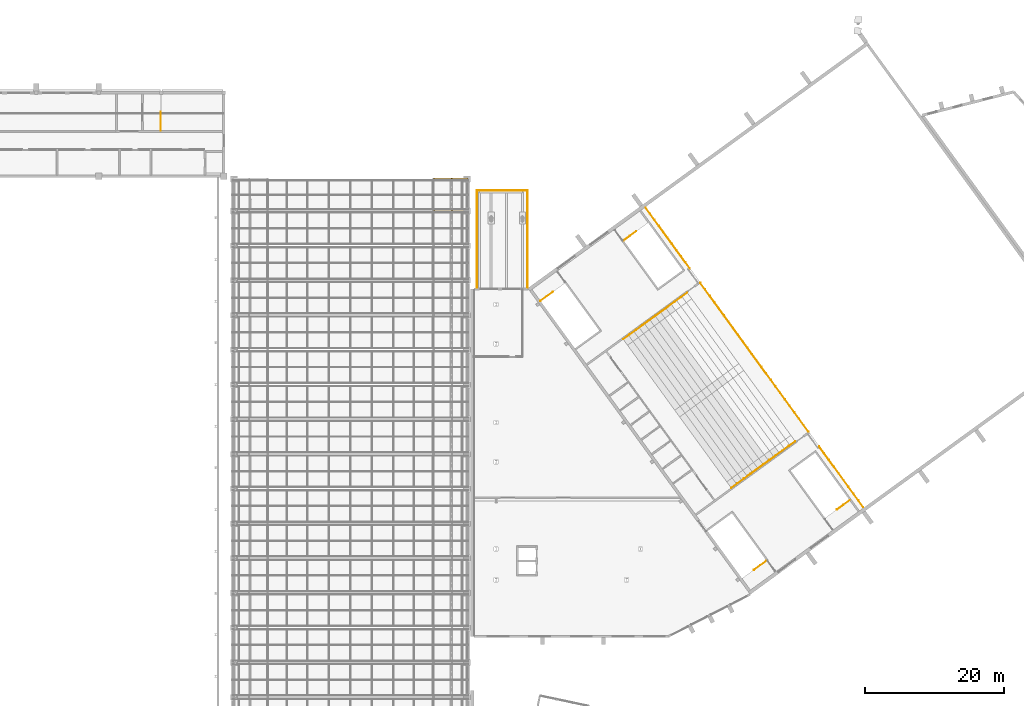
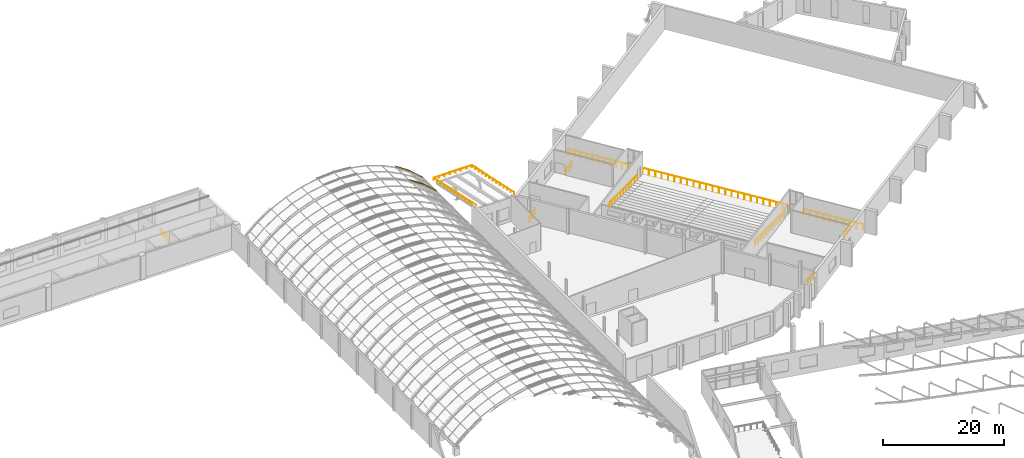
# One storey, part 182 of 182: 11 railings, 4 coverings.
"""IFC4 building model written with IfcOpenShell, lengths in metres."""

from ifc_helpers import new_model, si_unit, direction, frame, origin, origin_2d, place, context, subcontext, project, spatial, polyline, circle, outline, extrude, material, layer, layer_set, type_object, element, save


model = new_model("IFC4")

# Units and contexts
model_context = context("Model", 3, precision=1e-05, world=origin(), true_north=direction((0.0, 1.0)))
body_context = subcontext(model_context, "Body", "Model", "MODEL_VIEW")
ifc_project = project(units=[si_unit("LENGTHUNIT", "METRE"), si_unit("AREAUNIT", "SQUARE_METRE"), si_unit("VOLUMEUNIT", "CUBIC_METRE"), si_unit("PLANEANGLEUNIT", "RADIAN"), si_unit("MASSUNIT", "GRAM", prefix="KILO")], contexts=[model_context])

# Site, building, storey
site_placement = place(None, origin())
site = spatial("IfcSite", under=ifc_project, at=site_placement, CompositionType="ELEMENT")
building_placement = place(site_placement, origin())
building = spatial("IfcBuilding", under=site, at=building_placement, Name="Okhra Congress Centre", CompositionType="ELEMENT")
storey_placement = place(building_placement, frame((0.0, 0.0, 7.199951171875)))
storey = spatial("IfcBuildingStorey", under=building, at=storey_placement, Name="L01", CompositionType="ELEMENT", Elevation=7.199951171875)

# Coverings
ifc_material_1 = material(Name="Extruded aluminium capping, thermally broken", Category="aluminium")
ifc_layer = layer(ifc_material_1, 0.139892578125)
ifc_layer_set = layer_set([ifc_layer], Name="Aluminium rib capping 380")
covering_type = type_object("IfcCoveringType", Name="Aluminium rib capping 380", PredefinedType="CLADDING", material=ifc_layer_set)
covering_1_placement = place(storey_placement, frame((184.303466796875, 210.81005859375, 5.876220703125), z_axis=(0.559487786357, 0.0, 0.828838595215), x_axis=(0.828838595215, 0.0, -0.559487786357)))
element("IfcCovering", 1, at=covering_1_placement, inside=storey, type_object=covering_type, Name="Rib capping 28.11", PredefinedType="CLADDING", context=body_context, shape_type="SweptSolid", body=[
    extrude(outline(polyline([(0.0, 0.0), (3.08902450870042, 0.0), (3.08902450870042, 0.3798828125), (0.0, 0.3798828125), (0.0, 0.0)])), origin(), (0.0, 0.0, -1.0), 0.139892578125),
])
covering_2_placement = place(storey_placement, frame((186.9111328125, 210.81005859375, 4.111328125), z_axis=(0.663725875965, 0.0, 0.747975909756), x_axis=(0.747975909756, 0.0, -0.663725875965)))
element("IfcCovering", 2, at=covering_2_placement, inside=storey, type_object=covering_type, Name="Rib capping 28.12", PredefinedType="CLADDING", context=body_context, shape_type="SweptSolid", body=[
    extrude(outline(polyline([(0.0, 0.0), (3.0890658975292116, 0.0), (3.0890658975292116, 0.3798828125), (0.0, 0.3798828125), (0.0, 0.0)])), origin(), (0.0, 0.0, -1.0), 0.139892578125),
])
covering_3_placement = place(storey_placement, frame((184.282470703125, 215.449951171875, 5.8408203125), z_axis=(0.559495970177, 0.0, 0.828833070863), x_axis=(0.828833070863, 0.0, -0.559495970177)))
element("IfcCovering", 3, at=covering_3_placement, inside=storey, type_object=covering_type, Name="Rib capping 29.11", PredefinedType="CLADDING", context=body_context, shape_type="SweptSolid", body=[
    extrude(outline(polyline([(0.0, 0.0), (3.0837430273687723, 0.0), (3.0837430273687723, 0.300048828125), (0.0, 0.300048828125), (0.0, 0.0)])), origin(), (0.0, 0.0, -1.0), 0.139892578125),
])
covering_4_placement = place(storey_placement, frame((186.8857421875, 215.449951171875, 4.07861328125), z_axis=(0.663646042111, 0.0, 0.74804674372), x_axis=(0.74804674372, 0.0, -0.663646042111)))
element("IfcCovering", 4, at=covering_4_placement, inside=storey, type_object=covering_type, Name="Rib capping 29.12", PredefinedType="CLADDING", context=body_context, shape_type="SweptSolid", body=[
    extrude(outline(polyline([(0.0, 0.0), (3.083551454990946, 0.0), (3.083551454990946, 0.300048828125), (0.0, 0.300048828125), (0.0, 0.0)])), origin(), (0.0, 0.0, -1.0), 0.139892578125),
])

# Railings
ifc_material_2 = material(Name="Painted steel tube guard with vertical steel balusters", Category="steel")
railing_type_1 = type_object("IfcRailingType", Name="Steel guard 1200", PredefinedType="GUARDRAIL", material=ifc_material_2)
railing_1_placement = place(storey_placement, frame((246.068359375, 168.353515625, 0.0)))
element("IfcRailing", 5, at=railing_1_placement, inside=storey, type_object=railing_type_1, Name="Balcony front edge guard", PredefinedType="GUARDRAIL", context=body_context, shape_type="SweptSolid", body=[
    extrude(circle(Radius=0.02392578125, at=origin_2d()), frame((0.0, 0.0, 1.17578125), z_axis=(-0.587792591002, 0.80901166244, 0.0), x_axis=(-0.80901166244, -0.587792591002, 0.0)), (0.0, 0.0, 1.0), 10.800048828125),
    extrude(circle(Radius=0.02099609375, at=origin_2d()), origin(), (0.0, 0.0, 1.0), 1.15185546875),
    extrude(circle(Radius=0.02099609375, at=origin_2d()), frame((-0.705322265625, 0.970703125, 0.0)), (0.0, 0.0, 1.0), 1.15185546875),
    extrude(circle(Radius=0.02099609375, at=origin_2d()), frame((-1.41064453125, 1.941650390625, 0.0)), (0.0, 0.0, 1.0), 1.15185546875),
    extrude(circle(Radius=0.02099609375, at=origin_2d()), frame((-2.115966796875, 2.912353515625, 0.0)), (0.0, 0.0, 1.0), 1.15185546875),
    extrude(circle(Radius=0.02099609375, at=origin_2d()), frame((-2.8212890625, 3.88330078125, 0.0)), (0.0, 0.0, 1.0), 1.15185546875),
    extrude(circle(Radius=0.02099609375, at=origin_2d()), frame((-3.52685546875, 4.85400390625, 0.0)), (0.0, 0.0, 1.0), 1.15185546875),
    extrude(circle(Radius=0.02099609375, at=origin_2d()), frame((-4.232177734375, 5.824951171875, 0.0)), (0.0, 0.0, 1.0), 1.15185546875),
    extrude(circle(Radius=0.02099609375, at=origin_2d()), frame((-4.9375, 6.795654296875, 0.0)), (0.0, 0.0, 1.0), 1.15185546875),
    extrude(circle(Radius=0.02099609375, at=origin_2d()), frame((-5.642822265625, 7.7666015625, 0.0)), (0.0, 0.0, 1.0), 1.15185546875),
    extrude(circle(Radius=0.02099609375, at=origin_2d()), frame((-6.34814453125, 8.7373046875, 0.0)), (0.0, 0.0, 1.0), 1.15185546875),
])
railing_2_placement = place(storey_placement, frame((214.7392578125, 211.47412109375, 0.0)))
element("IfcRailing", 6, at=railing_2_placement, inside=storey, type_object=railing_type_1, Name="Balcony front edge guard", PredefinedType="GUARDRAIL", context=body_context, shape_type="SweptSolid", body=[
    extrude(circle(Radius=0.02392578125, at=origin_2d()), frame((0.0, 0.0, 1.17578125), z_axis=(0.587781841449, -0.809019472487, 0.0), x_axis=(0.809019472487, 0.587781841449, 0.0)), (0.0, 0.0, 1.0), 10.80029296875),
    extrude(circle(Radius=0.02099609375, at=origin_2d()), origin(), (0.0, 0.0, 1.0), 1.15185546875),
    extrude(circle(Radius=0.02099609375, at=origin_2d()), frame((0.634765625, -0.873779296875, 0.0)), (0.0, 0.0, 1.0), 1.15185546875),
    extrude(circle(Radius=0.02099609375, at=origin_2d()), frame((1.26953125, -1.74755859375, 0.0)), (0.0, 0.0, 1.0), 1.15185546875),
    extrude(circle(Radius=0.02099609375, at=origin_2d()), frame((1.904541015625, -2.621337890625, 0.0)), (0.0, 0.0, 1.0), 1.15185546875),
    extrude(circle(Radius=0.02099609375, at=origin_2d()), frame((2.539306640625, -3.4951171875, 0.0)), (0.0, 0.0, 1.0), 1.15185546875),
    extrude(circle(Radius=0.02099609375, at=origin_2d()), frame((3.174072265625, -4.36865234375, 0.0)), (0.0, 0.0, 1.0), 1.15185546875),
    extrude(circle(Radius=0.02099609375, at=origin_2d()), frame((3.808837890625, -5.242431640625, 0.0)), (0.0, 0.0, 1.0), 1.15185546875),
    extrude(circle(Radius=0.02099609375, at=origin_2d()), frame((4.443603515625, -6.1162109375, 0.0)), (0.0, 0.0, 1.0), 1.15185546875),
    extrude(circle(Radius=0.02099609375, at=origin_2d()), frame((5.07861328125, -6.989990234375, 0.0)), (0.0, 0.0, 1.0), 1.15185546875),
    extrude(circle(Radius=0.02099609375, at=origin_2d()), frame((5.71337890625, -7.86376953125, 0.0)), (0.0, 0.0, 1.0), 1.15185546875),
    extrude(circle(Radius=0.02099609375, at=origin_2d()), frame((6.34814453125, -8.737548828125, 0.0)), (0.0, 0.0, 1.0), 1.15185546875),
])
railing_3_placement = place(storey_placement, frame((238.17724609375, 179.214599609375, 0.0)))
element("IfcRailing", 7, at=railing_3_placement, inside=storey, type_object=railing_type_1, Name="Balcony front guard", PredefinedType="GUARDRAIL", context=body_context, shape_type="SweptSolid", body=[
    extrude(circle(Radius=0.02392578125, at=origin_2d()), frame((0.0, 0.0, 1.17578125), z_axis=(-0.587785255346, 0.809016992157, 0.0), x_axis=(-0.809016992157, -0.587785255346, 0.0)), (0.0, 0.0, 1.0), 26.449951171875),
    extrude(circle(Radius=0.02099609375, at=origin_2d()), origin(), (0.0, 0.0, 1.0), 1.15185546875),
    extrude(circle(Radius=0.02099609375, at=origin_2d()), frame((-0.676025390625, 0.930419921875, 0.0)), (0.0, 0.0, 1.0), 1.15185546875),
    extrude(circle(Radius=0.02099609375, at=origin_2d()), frame((-1.351806640625, 1.86083984375, 0.0)), (0.0, 0.0, 1.0), 1.15185546875),
    extrude(circle(Radius=0.02099609375, at=origin_2d()), frame((-2.02783203125, 2.791015625, 0.0)), (0.0, 0.0, 1.0), 1.15185546875),
    extrude(circle(Radius=0.02099609375, at=origin_2d()), frame((-2.703857421875, 3.721435546875, 0.0)), (0.0, 0.0, 1.0), 1.15185546875),
    extrude(circle(Radius=0.02099609375, at=origin_2d()), frame((-3.379638671875, 4.65185546875, 0.0)), (0.0, 0.0, 1.0), 1.15185546875),
    extrude(circle(Radius=0.02099609375, at=origin_2d()), frame((-4.0556640625, 5.582275390625, 0.0)), (0.0, 0.0, 1.0), 1.15185546875),
    extrude(circle(Radius=0.02099609375, at=origin_2d()), frame((-4.731689453125, 6.512451171875, 0.0)), (0.0, 0.0, 1.0), 1.15185546875),
    extrude(circle(Radius=0.02099609375, at=origin_2d()), frame((-5.40771484375, 7.44287109375, 0.0)), (0.0, 0.0, 1.0), 1.15185546875),
    extrude(circle(Radius=0.02099609375, at=origin_2d()), frame((-6.08349609375, 8.373291015625, 0.0)), (0.0, 0.0, 1.0), 1.15185546875),
    extrude(circle(Radius=0.02099609375, at=origin_2d()), frame((-6.759521484375, 9.3037109375, 0.0)), (0.0, 0.0, 1.0), 1.15185546875),
    extrude(circle(Radius=0.02099609375, at=origin_2d()), frame((-7.435546875, 10.234130859375, 0.0)), (0.0, 0.0, 1.0), 1.15185546875),
    extrude(circle(Radius=0.02099609375, at=origin_2d()), frame((-8.111328125, 11.164306640625, 0.0)), (0.0, 0.0, 1.0), 1.15185546875),
    extrude(circle(Radius=0.02099609375, at=origin_2d()), frame((-8.787353515625, 12.0947265625, 0.0)), (0.0, 0.0, 1.0), 1.15185546875),
    extrude(circle(Radius=0.02099609375, at=origin_2d()), frame((-9.46337890625, 13.025146484375, 0.0)), (0.0, 0.0, 1.0), 1.15185546875),
    extrude(circle(Radius=0.02099609375, at=origin_2d()), frame((-10.13916015625, 13.95556640625, 0.0)), (0.0, 0.0, 1.0), 1.15185546875),
    extrude(circle(Radius=0.02099609375, at=origin_2d()), frame((-10.815185546875, 14.885986328125, 0.0)), (0.0, 0.0, 1.0), 1.15185546875),
    extrude(circle(Radius=0.02099609375, at=origin_2d()), frame((-11.4912109375, 15.816162109375, 0.0)), (0.0, 0.0, 1.0), 1.15185546875),
    extrude(circle(Radius=0.02099609375, at=origin_2d()), frame((-12.167236328125, 16.74658203125, 0.0)), (0.0, 0.0, 1.0), 1.15185546875),
    extrude(circle(Radius=0.02099609375, at=origin_2d()), frame((-12.843017578125, 17.677001953125, 0.0)), (0.0, 0.0, 1.0), 1.15185546875),
    extrude(circle(Radius=0.02099609375, at=origin_2d()), frame((-13.51904296875, 18.607421875, 0.0)), (0.0, 0.0, 1.0), 1.15185546875),
    extrude(circle(Radius=0.02099609375, at=origin_2d()), frame((-14.195068359375, 19.53759765625, 0.0)), (0.0, 0.0, 1.0), 1.15185546875),
    extrude(circle(Radius=0.02099609375, at=origin_2d()), frame((-14.870849609375, 20.468017578125, 0.0)), (0.0, 0.0, 1.0), 1.15185546875),
    extrude(circle(Radius=0.02099609375, at=origin_2d()), frame((-15.546875, 21.3984375, 0.0)), (0.0, 0.0, 1.0), 1.15185546875),
])
railing_4_placement = place(storey_placement, frame((227.05322265625, 171.132568359375, 1.800048828125)))
element("IfcRailing", 8, at=railing_4_placement, inside=storey, type_object=railing_type_1, Name="Balcony block side guard", PredefinedType="GUARDRAIL", context=body_context, shape_type="SweptSolid", body=[
    extrude(circle(Radius=0.02392578125, at=origin_2d()), frame((0.0, 0.0, 1.17578125), z_axis=(0.800680958798, 0.581716112851, -0.143235352716), x_axis=(-0.587776883106, 0.809023074878, 0.0)), (0.0, 0.0, 1.0), 11.518798828125),
    extrude(circle(Radius=0.02099609375, at=origin_2d()), origin(), (0.0, 0.0, 1.0), 1.15185546875),
    extrude(circle(Radius=0.02099609375, at=origin_2d()), frame((0.92236328125, 0.670166015625, -0.1650390625)), (0.0, 0.0, 1.0), 1.15185546875),
    extrude(circle(Radius=0.02099609375, at=origin_2d()), frame((1.844482421875, 1.340087890625, -0.330078125)), (0.0, 0.0, 1.0), 1.15185546875),
    extrude(circle(Radius=0.02099609375, at=origin_2d()), frame((2.766845703125, 2.01025390625, -0.494873046875)), (0.0, 0.0, 1.0), 1.15185546875),
    extrude(circle(Radius=0.02099609375, at=origin_2d()), frame((3.689208984375, 2.68017578125, -0.659912109375)), (0.0, 0.0, 1.0), 1.15185546875),
    extrude(circle(Radius=0.02099609375, at=origin_2d()), frame((4.611328125, 3.350341796875, -0.824951171875)), (0.0, 0.0, 1.0), 1.15185546875),
    extrude(circle(Radius=0.02099609375, at=origin_2d()), frame((5.53369140625, 4.0205078125, -0.989990234375)), (0.0, 0.0, 1.0), 1.15185546875),
    extrude(circle(Radius=0.02099609375, at=origin_2d()), frame((6.4560546875, 4.6904296875, -1.155029296875)), (0.0, 0.0, 1.0), 1.15185546875),
    extrude(circle(Radius=0.02099609375, at=origin_2d()), frame((7.37841796875, 5.360595703125, -1.31982421875)), (0.0, 0.0, 1.0), 1.15185546875),
    extrude(circle(Radius=0.02099609375, at=origin_2d()), frame((8.300537109375, 6.030517578125, -1.48486328125)), (0.0, 0.0, 1.0), 1.15185546875),
    extrude(circle(Radius=0.02099609375, at=origin_2d()), frame((9.222900390625, 6.70068359375, -1.64990234375)), (0.0, 0.0, 1.0), 1.15185546875),
])
railing_5_placement = place(storey_placement, frame((211.50634765625, 192.531005859375, 1.800048828125)))
element("IfcRailing", 9, at=railing_5_placement, inside=storey, type_object=railing_type_1, Name="Balcony block side guard", PredefinedType="GUARDRAIL", context=body_context, shape_type="SweptSolid", body=[
    extrude(circle(Radius=0.02392578125, at=origin_2d()), frame((0.0, 0.0, 1.17578125), z_axis=(0.800680958798, 0.581716112851, -0.143235352716), x_axis=(-0.587776883106, 0.809023074878, 0.0)), (0.0, 0.0, 1.0), 11.518798828125),
    extrude(circle(Radius=0.02099609375, at=origin_2d()), origin(), (0.0, 0.0, 1.0), 1.15185546875),
    extrude(circle(Radius=0.02099609375, at=origin_2d()), frame((0.92236328125, 0.670166015625, -0.1650390625)), (0.0, 0.0, 1.0), 1.15185546875),
    extrude(circle(Radius=0.02099609375, at=origin_2d()), frame((1.844482421875, 1.340087890625, -0.330078125)), (0.0, 0.0, 1.0), 1.15185546875),
    extrude(circle(Radius=0.02099609375, at=origin_2d()), frame((2.766845703125, 2.01025390625, -0.494873046875)), (0.0, 0.0, 1.0), 1.15185546875),
    extrude(circle(Radius=0.02099609375, at=origin_2d()), frame((3.689208984375, 2.68017578125, -0.659912109375)), (0.0, 0.0, 1.0), 1.15185546875),
    extrude(circle(Radius=0.02099609375, at=origin_2d()), frame((4.611328125, 3.350341796875, -0.824951171875)), (0.0, 0.0, 1.0), 1.15185546875),
    extrude(circle(Radius=0.02099609375, at=origin_2d()), frame((5.53369140625, 4.0205078125, -0.989990234375)), (0.0, 0.0, 1.0), 1.15185546875),
    extrude(circle(Radius=0.02099609375, at=origin_2d()), frame((6.4560546875, 4.6904296875, -1.155029296875)), (0.0, 0.0, 1.0), 1.15185546875),
    extrude(circle(Radius=0.02099609375, at=origin_2d()), frame((7.37841796875, 5.360595703125, -1.31982421875)), (0.0, 0.0, 1.0), 1.15185546875),
    extrude(circle(Radius=0.02099609375, at=origin_2d()), frame((8.300537109375, 6.030517578125, -1.48486328125)), (0.0, 0.0, 1.0), 1.15185546875),
    extrude(circle(Radius=0.02099609375, at=origin_2d()), frame((9.222900390625, 6.70068359375, -1.64990234375)), (0.0, 0.0, 1.0), 1.15185546875),
])
railing_type_2 = type_object("IfcRailingType", Name="Steel guard 400", PredefinedType="GUARDRAIL", material=ifc_material_2)
railing_6_placement = place(storey_placement, frame((190.449951171875, 199.989990234375, 4.95751953125)))
element("IfcRailing", 10, at=railing_6_placement, inside=storey, type_object=railing_type_2, Name="North canopy snow guard", PredefinedType="GUARDRAIL", context=body_context, shape_type="SweptSolid", body=[
    extrude(circle(Radius=0.02392578125, at=origin_2d()), frame((0.0, 0.0, 0.3759765625), z_axis=(0.0, 0.978147545754, -0.207911949477), x_axis=(-1.0, 0.0, 0.0)), (0.0, 0.0, 1.0), 14.271728515625),
    extrude(circle(Radius=0.02392578125, at=origin_2d()), frame((0.0, 13.9599609375, -2.59130859375), z_axis=(1.0, 0.0, 0.0), x_axis=(0.0, 1.0, 0.0)), (0.0, 0.0, 1.0), 7.300048828125),
    extrude(circle(Radius=0.02392578125, at=origin_2d()), frame((7.300048828125, 13.9599609375, -2.59130859375), z_axis=(0.0, -0.978147545754, 0.207911949477), x_axis=(1.0, 0.0, 0.0)), (0.0, 0.0, 1.0), 14.271728515625),
    extrude(circle(Radius=0.02099609375, at=origin_2d()), origin(), (0.0, 0.0, 1.0), 0.351806640625),
    extrude(circle(Radius=0.02099609375, at=origin_2d()), frame((0.0, 1.163330078125, -0.247314453125)), (0.0, 0.0, 1.0), 0.351806640625),
    extrude(circle(Radius=0.02099609375, at=origin_2d()), frame((0.0, 2.32666015625, -0.49462890625)), (0.0, 0.0, 1.0), 0.351806640625),
    extrude(circle(Radius=0.02099609375, at=origin_2d()), frame((0.0, 3.489990234375, -0.74169921875)), (0.0, 0.0, 1.0), 0.351806640625),
    extrude(circle(Radius=0.02099609375, at=origin_2d()), frame((0.0, 4.6533203125, -0.989013671875)), (0.0, 0.0, 1.0), 0.351806640625),
    extrude(circle(Radius=0.02099609375, at=origin_2d()), frame((0.0, 5.816650390625, -1.236328125)), (0.0, 0.0, 1.0), 0.351806640625),
    extrude(circle(Radius=0.02099609375, at=origin_2d()), frame((0.0, 6.97998046875, -1.483642578125)), (0.0, 0.0, 1.0), 0.351806640625),
    extrude(circle(Radius=0.02099609375, at=origin_2d()), frame((0.0, 8.143310546875, -1.73095703125)), (0.0, 0.0, 1.0), 0.351806640625),
    extrude(circle(Radius=0.02099609375, at=origin_2d()), frame((0.0, 9.306640625, -1.978271484375)), (0.0, 0.0, 1.0), 0.351806640625),
    extrude(circle(Radius=0.02099609375, at=origin_2d()), frame((0.0, 10.469970703125, -2.2255859375)), (0.0, 0.0, 1.0), 0.351806640625),
    extrude(circle(Radius=0.02099609375, at=origin_2d()), frame((0.0, 11.63330078125, -2.47265625)), (0.0, 0.0, 1.0), 0.351806640625),
    extrude(circle(Radius=0.02099609375, at=origin_2d()), frame((0.0, 12.796630859375, -2.719970703125)), (0.0, 0.0, 1.0), 0.351806640625),
    extrude(circle(Radius=0.02099609375, at=origin_2d()), frame((0.0, 13.9599609375, -2.96728515625)), (0.0, 0.0, 1.0), 0.351806640625),
    extrude(circle(Radius=0.02099609375, at=origin_2d()), frame((1.04296875, 13.9599609375, -2.96728515625)), (0.0, 0.0, 1.0), 0.351806640625),
    extrude(circle(Radius=0.02099609375, at=origin_2d()), frame((2.085693359375, 13.9599609375, -2.96728515625)), (0.0, 0.0, 1.0), 0.351806640625),
    extrude(circle(Radius=0.02099609375, at=origin_2d()), frame((3.128662109375, 13.9599609375, -2.96728515625)), (0.0, 0.0, 1.0), 0.351806640625),
    extrude(circle(Radius=0.02099609375, at=origin_2d()), frame((4.17138671875, 13.9599609375, -2.96728515625)), (0.0, 0.0, 1.0), 0.351806640625),
    extrude(circle(Radius=0.02099609375, at=origin_2d()), frame((5.21435546875, 13.9599609375, -2.96728515625)), (0.0, 0.0, 1.0), 0.351806640625),
    extrude(circle(Radius=0.02099609375, at=origin_2d()), frame((6.257080078125, 13.9599609375, -2.96728515625)), (0.0, 0.0, 1.0), 0.351806640625),
    extrude(circle(Radius=0.02099609375, at=origin_2d()), frame((7.300048828125, 13.9599609375, -2.96728515625)), (0.0, 0.0, 1.0), 0.351806640625),
    extrude(circle(Radius=0.02099609375, at=origin_2d()), frame((7.300048828125, 12.796630859375, -2.719970703125)), (0.0, 0.0, 1.0), 0.351806640625),
    extrude(circle(Radius=0.02099609375, at=origin_2d()), frame((7.300048828125, 11.63330078125, -2.47265625)), (0.0, 0.0, 1.0), 0.351806640625),
    extrude(circle(Radius=0.02099609375, at=origin_2d()), frame((7.300048828125, 10.469970703125, -2.2255859375)), (0.0, 0.0, 1.0), 0.351806640625),
    extrude(circle(Radius=0.02099609375, at=origin_2d()), frame((7.300048828125, 9.306640625, -1.978271484375)), (0.0, 0.0, 1.0), 0.351806640625),
    extrude(circle(Radius=0.02099609375, at=origin_2d()), frame((7.300048828125, 8.143310546875, -1.73095703125)), (0.0, 0.0, 1.0), 0.351806640625),
    extrude(circle(Radius=0.02099609375, at=origin_2d()), frame((7.300048828125, 6.97998046875, -1.483642578125)), (0.0, 0.0, 1.0), 0.351806640625),
    extrude(circle(Radius=0.02099609375, at=origin_2d()), frame((7.300048828125, 5.816650390625, -1.236328125)), (0.0, 0.0, 1.0), 0.351806640625),
    extrude(circle(Radius=0.02099609375, at=origin_2d()), frame((7.300048828125, 4.6533203125, -0.989013671875)), (0.0, 0.0, 1.0), 0.351806640625),
    extrude(circle(Radius=0.02099609375, at=origin_2d()), frame((7.300048828125, 3.489990234375, -0.74169921875)), (0.0, 0.0, 1.0), 0.351806640625),
    extrude(circle(Radius=0.02099609375, at=origin_2d()), frame((7.300048828125, 2.32666015625, -0.49462890625)), (0.0, 0.0, 1.0), 0.351806640625),
    extrude(circle(Radius=0.02099609375, at=origin_2d()), frame((7.300048828125, 1.163330078125, -0.247314453125)), (0.0, 0.0, 1.0), 0.351806640625),
    extrude(circle(Radius=0.02099609375, at=origin_2d()), frame((7.300048828125, 0.0, 0.0)), (0.0, 0.0, 1.0), 0.351806640625),
])
railing_type_3 = type_object("IfcRailingType", Name="Steel stair guard 1200", PredefinedType="GUARDRAIL", material=ifc_material_2)
railing_7_placement = place(storey_placement, frame((144.925048828125, 222.574951171875, 0.0)))
element("IfcRailing", 11, at=railing_7_placement, inside=storey, type_object=railing_type_3, Name="L01 ES3 top well guard 1", PredefinedType="GUARDRAIL", context=body_context, shape_type="SweptSolid", body=[
    extrude(circle(Radius=0.02392578125, at=origin_2d()), frame((0.0, 0.0, 1.17578125), z_axis=(0.0, 1.0, 0.0), x_axis=(-1.0, 0.0, 0.0)), (0.0, 0.0, 1.0), 2.699951171875),
    extrude(circle(Radius=0.02099609375, at=origin_2d()), origin(), (0.0, 0.0, 1.0), 1.15185546875),
    extrude(circle(Radius=0.02099609375, at=origin_2d()), frame((0.0, 0.89990234375, 0.0)), (0.0, 0.0, 1.0), 1.15185546875),
    extrude(circle(Radius=0.02099609375, at=origin_2d()), frame((0.0, 1.800048828125, 0.0)), (0.0, 0.0, 1.0), 1.15185546875),
    extrude(circle(Radius=0.02099609375, at=origin_2d()), frame((0.0, 2.699951171875, 0.0)), (0.0, 0.0, 1.0), 1.15185546875),
])
for number, where, name in (
    (12, (232.1396484375, 160.64404296875, 0.0), "L01 C1 top well guard 1"),
    (13, (244.113037109375, 169.34326171875, 0.0), "L01 C2 top well guard 1"),
):
    element("IfcRailing", number, at=place(storey_placement, frame(where)), inside=storey, type_object=railing_type_3, Name=name, PredefinedType="GUARDRAIL", context=body_context, shape_type="SweptSolid", body=[
        extrude(circle(Radius=0.02392578125, at=origin_2d()), frame((0.0, 0.0, 1.17578125), z_axis=(-0.809022210299, -0.587778073121, 0.0), x_axis=(0.587778073121, -0.809022210299, 0.0)), (0.0, 0.0, 1.0), 2.25),
        extrude(circle(Radius=0.02099609375, at=origin_2d()), origin(), (0.0, 0.0, 1.0), 1.15185546875),
        extrude(circle(Radius=0.02099609375, at=origin_2d()), frame((-0.91015625, -0.6611328125, 0.0)), (0.0, 0.0, 1.0), 1.15185546875),
        extrude(circle(Radius=0.02099609375, at=origin_2d()), frame((-1.8203125, -1.322509765625, 0.0)), (0.0, 0.0, 1.0), 1.15185546875),
    ])
for number, where, name in (
    (14, (199.583740234375, 198.052734375, 0.0), "L01 C3 top well guard 1"),
    (15, (211.55712890625, 206.751953125, 0.0), "L01 C4 top well guard 1"),
):
    element("IfcRailing", number, at=place(storey_placement, frame(where)), inside=storey, type_object=railing_type_3, Name=name, PredefinedType="GUARDRAIL", context=body_context, shape_type="SweptSolid", body=[
        extrude(circle(Radius=0.02392578125, at=origin_2d()), frame((0.0, 0.0, 1.17578125), z_axis=(0.809022210299, 0.587778073121, 0.0), x_axis=(-0.587778073121, 0.809022210299, 0.0)), (0.0, 0.0, 1.0), 2.25),
        extrude(circle(Radius=0.02099609375, at=origin_2d()), origin(), (0.0, 0.0, 1.0), 1.15185546875),
        extrude(circle(Radius=0.02099609375, at=origin_2d()), frame((0.91015625, 0.6611328125, 0.0)), (0.0, 0.0, 1.0), 1.15185546875),
        extrude(circle(Radius=0.02099609375, at=origin_2d()), frame((1.8203125, 1.322509765625, 0.0)), (0.0, 0.0, 1.0), 1.15185546875),
    ])

save(model, "model.ifc")
